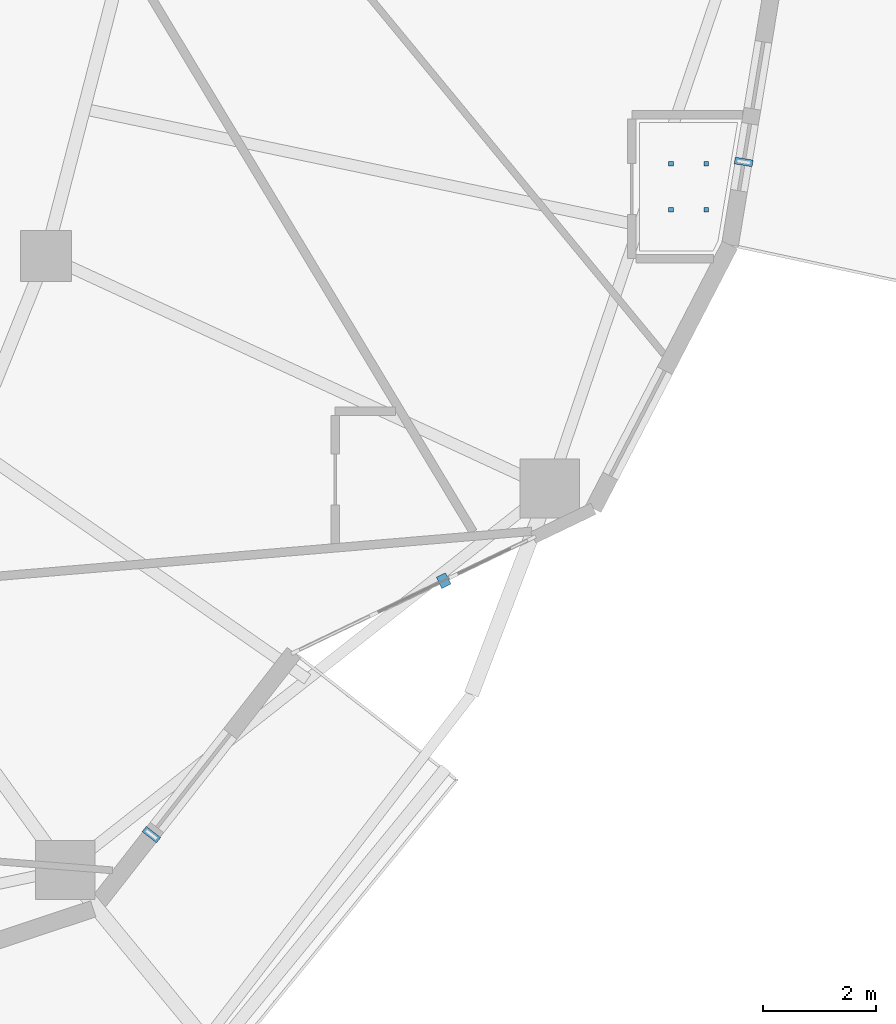
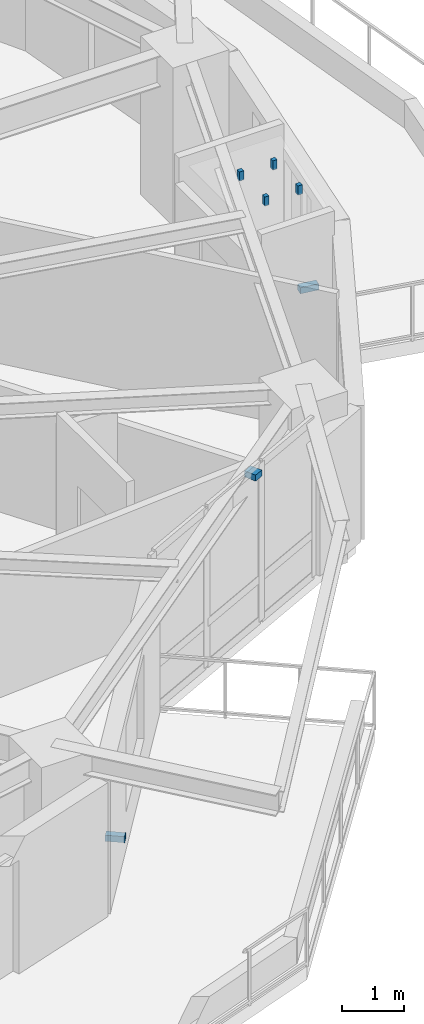
# One storey, part 13 of 18: 7 discrete accessories.
"""IFC4 building model written with IfcOpenShell, lengths in metres."""

from ifc_helpers import new_model, si_unit, direction, frame, origin, origin_2d, place, context, subcontext, project, spatial, rectangle, extrude, material, type_object, element, save


model = new_model("IFC4")

# Units and contexts
model_context = context("Model", 3, precision=1e-05, world=origin(), true_north=direction((0.0, 1.0)))
body_context = subcontext(model_context, "Body", "Model", "MODEL_VIEW")
ifc_project = project(units=[si_unit("LENGTHUNIT", "METRE"), si_unit("AREAUNIT", "SQUARE_METRE"), si_unit("VOLUMEUNIT", "CUBIC_METRE"), si_unit("PLANEANGLEUNIT", "RADIAN"), si_unit("MASSUNIT", "GRAM", prefix="KILO")], contexts=[model_context])

# Site, building, storey
site_placement = place(None, origin())
site = spatial("IfcSite", under=ifc_project, at=site_placement, CompositionType="ELEMENT")
building_placement = place(site_placement, origin())
building = spatial("IfcBuilding", under=site, at=building_placement, Name="Kolvaren Gate Tower and Convention Centre", CompositionType="ELEMENT")
storey_placement = place(building_placement, frame((0.0, 0.0, 135.89990234375)))
storey = spatial("IfcBuildingStorey", under=building, at=storey_placement, Name="L34", CompositionType="ELEMENT", Elevation=135.89990234375)

# Discrete accessories
ifc_material_1 = material(Name="Anodized Architectural Aluminium Alloy 6063-T6", Category="aluminium")
discrete_accessory_type_1 = type_object("IfcDiscreteAccessoryType", Name="ARCH-ACC-BRACKET-120", PredefinedType="BRACKET", material=ifc_material_1)
discrete_accessory_1_placement = place(storey_placement, frame((43.24755859375, 11.556640625, 0.2900390625), z_axis=(0.0, 0.0, 1.0), x_axis=(0.616424499081, 0.787414018756, 0.0)))
element("IfcDiscreteAccessory", 1, at=discrete_accessory_1_placement, inside=storey, type_object=discrete_accessory_type_1, Name="Ceramic Fin Wall Anchor Bracket FBK-L34-20", PredefinedType="BRACKET", context=body_context, shape_type="SweptSolid", body=[
    extrude(rectangle(XDim=0.1201171875, YDim=0.320068359375, at=origin_2d()), origin(), (0.0, 0.0, 1.0), 0.1201171875),
])
discrete_accessory_2_placement = place(storey_placement, frame((48.42041015625, 16.051025390625, 2.949951171875), z_axis=(0.0, 0.0, 1.0), x_axis=(0.901362925045, 0.433064518696, 0.0)))
element("IfcDiscreteAccessory", 2, at=discrete_accessory_2_placement, inside=storey, type_object=discrete_accessory_type_1, Name="Solar Screen Spandrel Anchor Bracket BK-L34-21", PredefinedType="BRACKET", context=body_context, shape_type="SweptSolid", body=[
    extrude(rectangle(XDim=0.179931640625, YDim=0.219970703125, at=origin_2d()), origin(), (0.0, 0.0, 1.0), 0.1201171875),
])
discrete_accessory_3_placement = place(storey_placement, frame((53.730224609375, 23.462158203125, 0.2900390625), z_axis=(0.0, 0.0, 1.0), x_axis=(0.162389178836, 0.986726788223, 0.0)))
element("IfcDiscreteAccessory", 3, at=discrete_accessory_3_placement, inside=storey, type_object=discrete_accessory_type_1, Name="Ceramic Fin Wall Anchor Bracket FBK-L34-23", PredefinedType="BRACKET", context=body_context, shape_type="SweptSolid", body=[
    extrude(rectangle(XDim=0.1201171875, YDim=0.320068359375, at=origin_2d()), origin(), (0.0, 0.0, 1.0), 0.1201171875),
])
ifc_material_2 = material(Name="Brushed Stainless Steel Grade 316L", Category="steel")
discrete_accessory_type_2 = type_object("IfcDiscreteAccessoryType", Name="ARCH-ACC-HANGER-80", PredefinedType="BRACKET", material=ifc_material_2)
for number, where, z_axis, x_axis, name in (
    (4, (52.444091796875, 22.615966796875, 2.9501953125), (0.0, 0.0, 1.0), (1.0, 0.0, 0.0), "En-suite Bathroom (HTL-L34-07) Ceiling Suspension Hanger Clip 1"),
    (5, (53.068115234375, 22.615966796875, 2.9501953125), (0.0, 0.0, 1.0), (1.0, 0.0, 0.0), "En-suite Bathroom (HTL-L34-07) Ceiling Suspension Hanger Clip 2"),
    (6, (52.444091796875, 23.43408203125, 2.9501953125), (0.0, 0.0, 1.0), (1.0, 0.0, 0.0), "En-suite Bathroom (HTL-L34-07) Ceiling Suspension Hanger Clip 3"),
    (7, (53.068115234375, 23.43408203125, 2.9501953125), (0.0, 0.0, 1.0), (1.0, 0.0, 0.0), "En-suite Bathroom (HTL-L34-07) Ceiling Suspension Hanger Clip 4"),
):
    element("IfcDiscreteAccessory", number, at=place(storey_placement, frame(where, z_axis=z_axis, x_axis=x_axis)), inside=storey, type_object=discrete_accessory_type_2, Name=name, PredefinedType="BRACKET", context=body_context, shape_type="SweptSolid", body=[
        extrude(rectangle(XDim=0.080078125, YDim=0.080078125, at=origin_2d()), origin(), (0.0, 0.0, 1.0), 0.179931640625),
    ])

save(model, "model.ifc")
